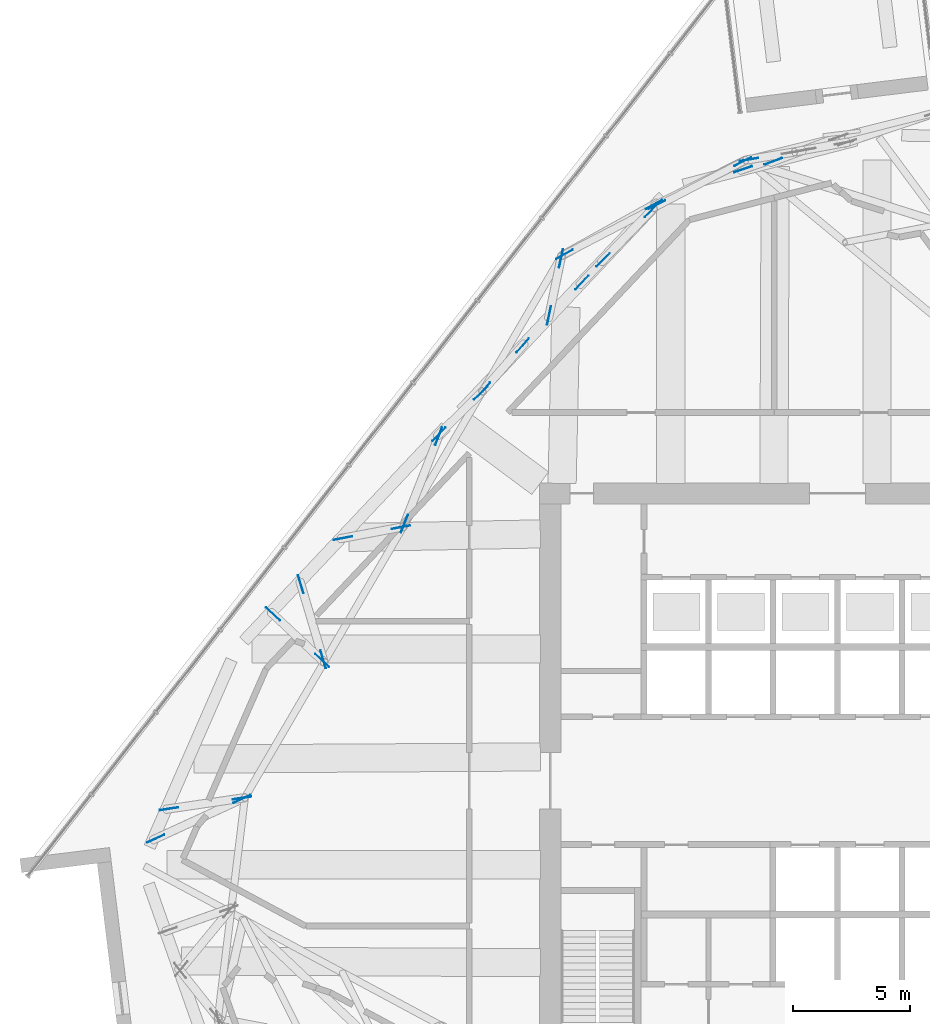
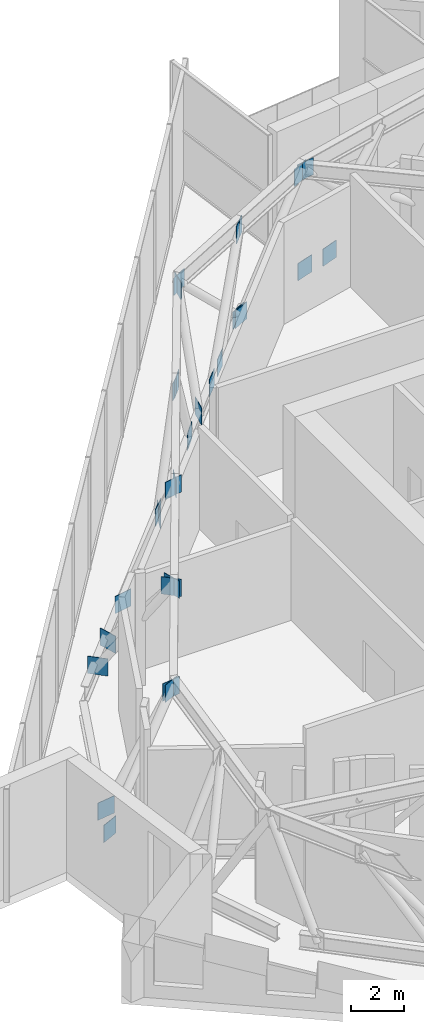
# One storey, part 19 of 23: 29 discrete accessories.
"""IFC4 building model written with IfcOpenShell, lengths in metres."""

from ifc_helpers import new_model, si_unit, direction, frame, origin, origin_2d, place, context, subcontext, project, spatial, rectangle, extrude, material, layer, layer_set, type_object, element, save


model = new_model("IFC4")

# Units and contexts
model_context = context("Model", 3, precision=1e-05, world=origin(), true_north=direction((0.0, 1.0)))
body_context = subcontext(model_context, "Body", "Model", "MODEL_VIEW")
ifc_project = project(units=[si_unit("LENGTHUNIT", "METRE"), si_unit("AREAUNIT", "SQUARE_METRE"), si_unit("VOLUMEUNIT", "CUBIC_METRE"), si_unit("PLANEANGLEUNIT", "RADIAN"), si_unit("MASSUNIT", "GRAM", prefix="KILO")], contexts=[model_context])

# Site, building, storey
site_placement = place(None, origin())
site = spatial("IfcSite", under=ifc_project, at=site_placement, CompositionType="ELEMENT")
building_placement = place(site_placement, origin())
building = spatial("IfcBuilding", under=site, at=building_placement, Name="Dilmun Exchange Tower", CompositionType="ELEMENT")
storey_placement = place(building_placement, frame((0.0, 0.0, 237.300048828125)))
storey = spatial("IfcBuildingStorey", under=building, at=storey_placement, Name="L56", CompositionType="ELEMENT", Elevation=237.300048828125)

# Discrete accessories
ifc_material = material(Name="Steel S355J2", Category="steel")
ifc_layer = layer(ifc_material, 0.02490234375)
ifc_layer_set = layer_set([ifc_layer], Name="Steel S355J2")
discrete_accessory_type = type_object("IfcDiscreteAccessoryType", Name="Gusset plate 25 x 800 x 800", PredefinedType="BRACKET", material=ifc_layer_set)
for number, where, z_axis, x_axis, name in (
    (1, (-4.0400390625, 26.394287109375, 4.2900390625), (0.0, 0.0, 1.0), (-0.893970512182, -0.44812578965, 0.0), "Gusset plate L56-DG01 end 1"),
    (2, (-7.708251953125, 24.5556640625, 0.0927734375), (0.0, 0.0, 1.0), (-0.893970512182, -0.44812578965, 0.0), "Gusset plate L56-DG01 end 2"),
    (3, (-3.7744140625, 26.480712890625, 4.29296875), (0.0, 0.0, 1.0), (0.986114252309, 0.166068303395, 0.0), "Gusset plate L56-DG02 end 1"),
    (4, (-7.9228515625, 24.3310546875, 4.27001953125), (0.0, 0.0, 1.0), (-0.696609340778, -0.717450643836, 0.0), "Gusset plate L56-DG03 end 1"),
    (5, (-9.990478515625, 22.201904296875, 0.11279296875), (0.0, 0.0, 1.0), (-0.696609340778, -0.717450643836, 0.0), "Gusset plate L56-DG03 end 2"),
    (6, (-7.94091796875, 24.311767578125, 4.29248046875), (0.0, 0.0, 1.0), (-0.693450873028, -0.720503911646, 0.0), "Gusset plate L56-DG04 end 1"),
    (7, (-10.898681640625, 21.23876953125, 0.09033203125), (0.0, 0.0, 1.0), (-0.693450873028, -0.720503911646, 0.0), "Gusset plate L56-DG04 end 2"),
    (8, (-11.64306640625, 22.442138671875, 4.29443359375), (0.0, 0.0, 1.0), (0.873818055184, 0.486253027172, 0.0), "Gusset plate L56-DG05 end 1"),
    (9, (-7.822021484375, 24.568359375, 0.08837890625), (0.0, 0.0, 1.0), (0.873818055184, 0.486253027172, 0.0), "Gusset plate L56-DG05 end 2"),
    (10, (-11.7900390625, 22.27099609375, 4.26171875), (0.0, 0.0, 1.0), (-0.204678851985, -0.978829182008, 0.0), "Gusset plate L56-DG06 end 1"),
    (11, (-12.300048828125, 19.83251953125, 0.12109375), (0.0, 0.0, 1.0), (-0.204678851985, -0.978829182008, 0.0), "Gusset plate L56-DG06 end 2"),
    (12, (-15.216796875, 16.52587890625, 4.26171875), (0.0, 0.0, 1.0), (-0.711148040659, -0.703042291947, 0.0), "Gusset plate L56-DG07 end 1"),
    (13, (-16.991455078125, 14.771728515625, 0.12109375), (0.0, 0.0, 1.0), (-0.711148040659, -0.703042291947, 0.0), "Gusset plate L56-DG07 end 2"),
    (14, (-15.075439453125, 16.676025390625, 4.26171875), (0.0, 0.0, 1.0), (0.659816768317, 0.751426531504, 0.0), "Gusset plate L56-DG08 end 1"),
    (15, (-13.428955078125, 18.551025390625, 0.12109375), (0.0, 0.0, 1.0), (0.659816768317, 0.751426531504, 0.0), "Gusset plate L56-DG08 end 2"),
    (16, (-18.467529296875, 10.95361328125, 4.2880859375), (0.0, 0.0, 1.0), (0.364579390924, 0.931172308283, 0.0), "Gusset plate L56-DG09 end 1"),
    (17, (-17.00634765625, 14.685791015625, 0.0947265625), (0.0, 0.0, 1.0), (0.364579390924, 0.931172308283, 0.0), "Gusset plate L56-DG09 end 2"),
    (18, (-18.6201171875, 10.805908203125, 4.26171875), (0.0, 0.0, 1.0), (-0.982712461772, -0.185138373865, 0.0), "Gusset plate L56-DG10 end 1"),
    (19, (-21.089111328125, 10.340576171875, 0.12109375), (0.0, 0.0, 1.0), (-0.982712461772, -0.185138373865, 0.0), "Gusset plate L56-DG10 end 2"),
    (20, (-21.975830078125, 5.129638671875, 4.2685546875), (0.0, 0.0, 1.0), (-0.727691357971, 0.685904721907, 0.0), "Gusset plate L56-DG11 end 1"),
    (21, (-24.06884765625, 7.102294921875, 0.1142578125), (0.0, 0.0, 1.0), (-0.727691357971, 0.685904721907, 0.0), "Gusset plate L56-DG11 end 2"),
    (22, (-21.9287109375, 5.17138671875, 4.27685546875), (0.0, 0.0, 1.0), (-0.285412378473, 0.95840480707, 0.0), "Gusset plate L56-DG12 end 1"),
    (23, (-22.88134765625, 8.37060546875, 0.10595703125), (0.0, 0.0, 1.0), (-0.285412378473, 0.95840480707, 0.0), "Gusset plate L56-DG12 end 2"),
    (24, (-25.394287109375, -0.780029296875, 4.2890625), (0.0, 0.0, 1.0), (-0.908579637168, -0.417711674391, 0.0), "Gusset plate L56-DG13 end 1"),
    (25, (-29.0712890625, -2.470703125, 0.09375), (0.0, 0.0, 1.0), (-0.908579637168, -0.417711674391, 0.0), "Gusset plate L56-DG13 end 2"),
    (26, (-25.387451171875, -0.739501953125, 4.2734375), (0.0, 0.0, 1.0), (-0.989274627508, -0.146067489091, 0.0), "Gusset plate L56-DG14 end 1"),
    (27, (-28.50390625, -1.19970703125, 0.109375), (0.0, 0.0, 1.0), (-0.989274627508, -0.146067489091, 0.0), "Gusset plate L56-DG14 end 2"),
    (28, (-2.74365234375, 26.402099609375, 0.1123046875), (0.0, 0.0, 1.0), (-0.937426093702, -0.348184317348, 0.0), "Gusset plate L56-DG63 end 2"),
    (29, (-4.0244140625, 26.068359375, 0.09033203125), (0.0, 0.0, 1.0), (-0.947488588385, -0.319789579068, 0.0), "Gusset plate L56-DG64 end 2"),
):
    element("IfcDiscreteAccessory", number, at=place(storey_placement, frame(where, z_axis=z_axis, x_axis=x_axis)), inside=storey, type_object=discrete_accessory_type, Name=name, PredefinedType="BRACKET", context=body_context, shape_type="SweptSolid", body=[
        extrude(rectangle(XDim=0.800048828125, YDim=0.02490234375, at=origin_2d()), origin(), (0.0, 0.0, 1.0), 0.800048828125),
    ])

save(model, "model.ifc")
